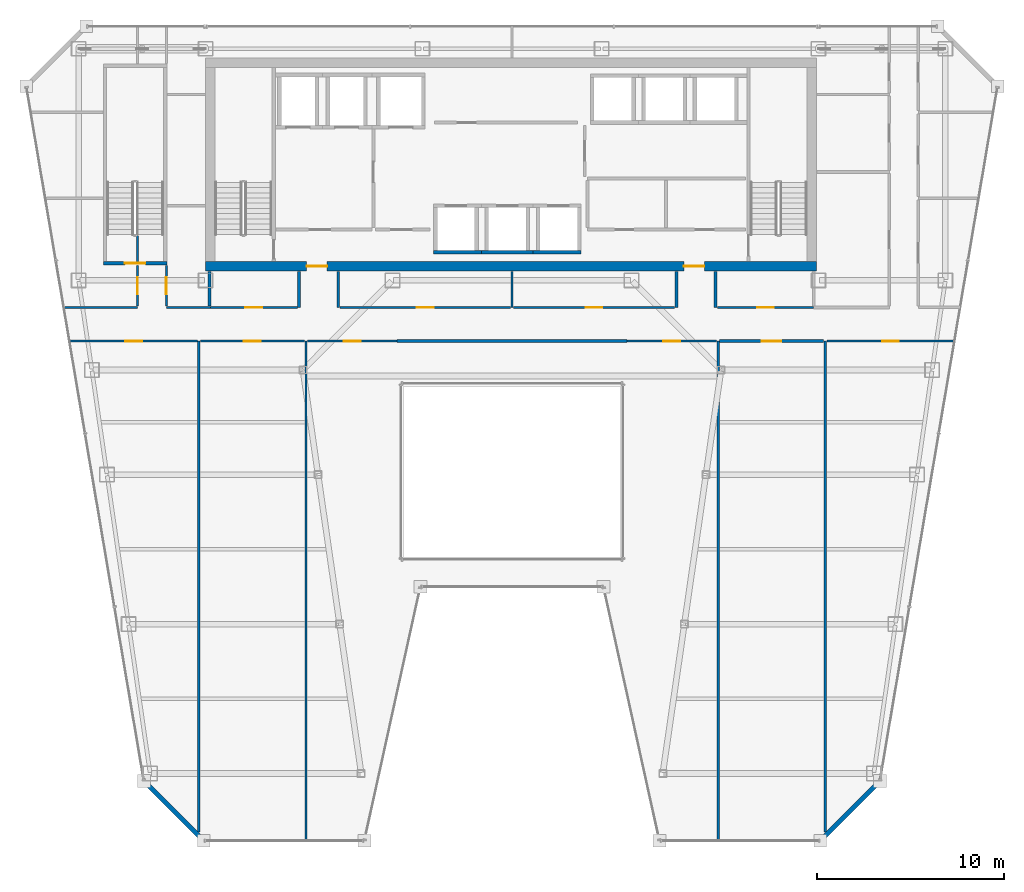
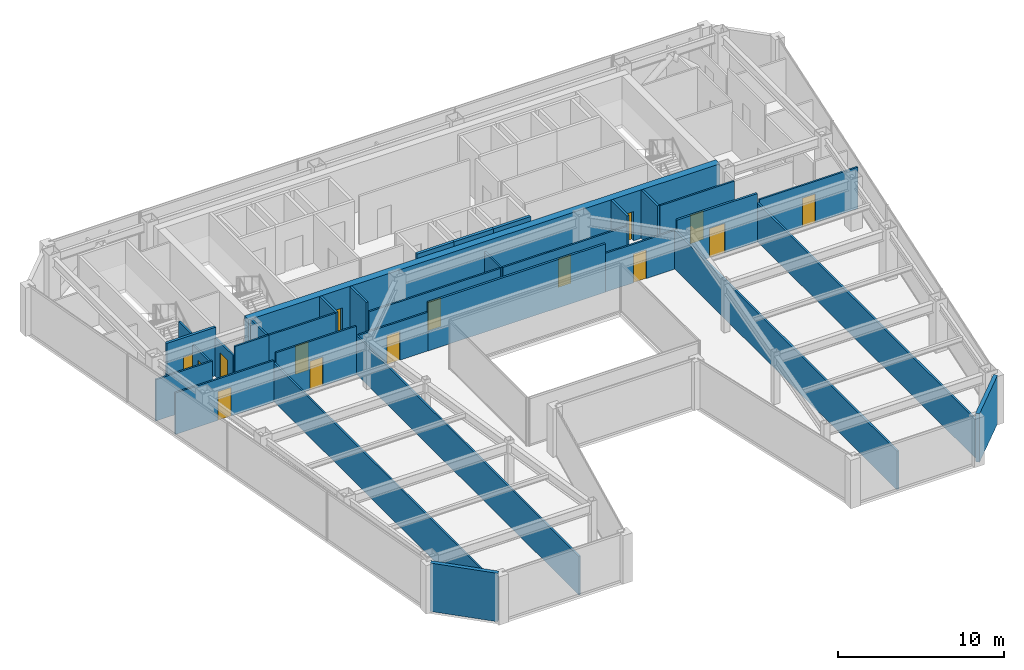
# One storey, part 30 of 36: 33 walls, 15 doors, 15 openings.
"""IFC4 building model written with IfcOpenShell, lengths in metres."""

from ifc_helpers import new_model, si_unit, direction, frame, frame_2d, origin, place, context, subcontext, project, spatial, rectangle, extrude, material, layer, layer_set, type_object, element, fill, save


model = new_model("IFC4")

# Units and contexts
model_context = context("Model", 3, precision=1e-05, world=origin(), true_north=direction((0.0, 1.0)))
body_context = subcontext(model_context, "Body", "Model", "MODEL_VIEW")
ifc_project = project(units=[si_unit("LENGTHUNIT", "METRE"), si_unit("AREAUNIT", "SQUARE_METRE"), si_unit("VOLUMEUNIT", "CUBIC_METRE"), si_unit("PLANEANGLEUNIT", "RADIAN"), si_unit("MASSUNIT", "GRAM", prefix="KILO")], contexts=[model_context])

# Site, building, storey
site_placement = place(None, origin())
site = spatial("IfcSite", under=ifc_project, at=site_placement, CompositionType="ELEMENT")
building_placement = place(site_placement, origin())
building = spatial("IfcBuilding", under=site, at=building_placement, Name="Saevonmaru Cultural Tower", CompositionType="ELEMENT")
storey_placement = place(building_placement, frame((0.0, 0.0, 186.60009765625)))
storey = spatial("IfcBuildingStorey", under=building, at=storey_placement, Name="L42", CompositionType="ELEMENT", Elevation=186.60009765625)

# Wall, openings, doors
ifc_material_1 = material(Name="Concrete C60/75", Category="concrete")
ifc_layer_1 = layer(ifc_material_1, 0.5, Name="Concrete C60/75")
ifc_layer_set_1 = layer_set([ifc_layer_1], Name="Concrete C60/75")
wall_type_1 = type_object("IfcWallType", Name="WL-CORE-500", PredefinedType="SHEAR", material=ifc_layer_set_1)
wall_1_placement = place(storey_placement, frame((13.60009765625, 43.14990234375, 0.0), z_axis=(0.0, 0.0, 1.0), x_axis=(1.0, 0.0, 0.0)))
wall_1 = element("IfcWall", 1, at=wall_1_placement, inside=storey, type_object=wall_type_1, Name="L42 Tower RC core shear wall S", PredefinedType="SHEAR", context=body_context, shape_type="SweptSolid", body=[
    extrude(rectangle(XDim=32.699951171875, YDim=0.5, at=frame_2d((16.35009765625, 0.0))), origin(), (0.0, 0.0, 1.0), 3.5498046875),
])
opening_1_placement = place(wall_1_placement, frame((5.39990234375, 0.0, 0.0)))
opening_1 = element("IfcOpeningElement", 2, at=opening_1_placement, cuts=wall_1, Name="Opening FD-2", PredefinedType="OPENING", context=body_context, shape_type="SweptSolid", body=[
    extrude(rectangle(XDim=1.10009765625, YDim=2.14990234375, at=frame_2d((0.550048828125, 1.074951171875))), frame((0.0, 0.260009765625, 0.0), z_axis=(0.0, -1.0, 0.0), x_axis=(1.0, 0.0, 0.0)), (0.0, 0.0, 1.0), 0.52001953125),
])
opening_2_placement = place(wall_1_placement, frame((25.60009765625, 0.0, 0.0)))
opening_2 = element("IfcOpeningElement", 3, at=opening_2_placement, cuts=wall_1, Name="Opening FD-2", PredefinedType="OPENING", context=body_context, shape_type="SweptSolid", body=[
    extrude(rectangle(XDim=1.10009765625, YDim=2.14990234375, at=frame_2d((0.550048828125, 1.074951171875))), frame((0.0, 0.260009765625, 0.0), z_axis=(0.0, -1.0, 0.0), x_axis=(1.0, 0.0, 0.0)), (0.0, 0.0, 1.0), 0.52001953125),
])
ifc_material_2 = material(Name="Satin Bronze Anodised Aluminium", Category="aluminium")
door_type_1 = type_object("IfcDoorType", Name="DR-FD60-1100", OperationType="SINGLE_SWING_LEFT", PredefinedType="DOOR", material=ifc_material_2)
door_1_placement = place(opening_1_placement, origin())
door_1 = element("IfcDoor", 4, at=door_1_placement, inside=storey, type_object=door_type_1, Name="L42 Core West Lobby Fire Door", OperationType="SINGLE_SWING_LEFT", OverallHeight=2.14990234375, OverallWidth=1.10009765625, PredefinedType="DOOR", context=body_context, shape_type="SweptSolid", body=[
    extrude(rectangle(XDim=1.10009765625, YDim=2.14990234375, at=frame_2d((0.550048828125, 1.074951171875))), frame((0.0, 0.02490234375, 0.0), z_axis=(0.0, -1.0, 0.0), x_axis=(1.0, 0.0, 0.0)), (0.0, 0.0, 1.0), 0.050048828125),
])
fill(opening_1, door_1)
door_2_placement = place(opening_2_placement, origin())
door_2 = element("IfcDoor", 5, at=door_2_placement, inside=storey, type_object=door_type_1, Name="L42 Core East Lobby Fire Door", OperationType="SINGLE_SWING_LEFT", OverallHeight=2.14990234375, OverallWidth=1.10009765625, PredefinedType="DOOR", context=body_context, shape_type="SweptSolid", body=[
    extrude(rectangle(XDim=1.10009765625, YDim=2.14990234375, at=frame_2d((0.550048828125, 1.074951171875))), frame((0.0, 0.02490234375, 0.0), z_axis=(0.0, -1.0, 0.0), x_axis=(1.0, 0.0, 0.0)), (0.0, 0.0, 1.0), 0.050048828125),
])
fill(opening_2, door_2)

# Walls
ifc_material_3 = material(Name="Granite-Clad Precast Concrete C40/50", Category="masonry")
ifc_layer_2 = layer(ifc_material_3, 0.260009765625, Name="Granite-Clad Precast Concrete C40/50")
ifc_layer_set_2 = layer_set([ifc_layer_2], Name="Granite-Clad Precast Concrete C40/50")
wall_type_2 = type_object("IfcWallType", Name="WL-EXT-SPANDREL-260", PredefinedType="STANDARD", material=ifc_layer_set_2)
for number, where, z_axis, x_axis, name in (
    (6, (10.410888671875, 15.48681640625, 0.0), (0.0, 0.0, 1.0), (0.707135806771, -0.70707775441, 0.0), "L42 Chamfer Corner Spandrel Wall E1"),
    (7, (46.615234375, 12.51318359375, 0.0), (0.0, 0.0, 1.0), (0.707135806771, 0.70707775441, 0.0), "L42 Chamfer Corner Spandrel Wall E7"),
):
    element("IfcWall", number, at=place(storey_placement, frame(where, z_axis=z_axis, x_axis=x_axis)), inside=storey, type_object=wall_type_2, Name=name, PredefinedType="STANDARD", context=body_context, shape_type="SweptSolid", body=[
        extrude(rectangle(XDim=4.20556640625, YDim=0.260009765625, at=frame_2d((2.102783203125, 0.0))), origin(), (0.0, 0.0, 1.0), 3.5498046875),
    ])
ifc_material_4 = material(Name="Gypsum Fireboard Partition", Category="gypsum")
ifc_layer_3 = layer(ifc_material_4, 0.14990234375, Name="Gypsum Fireboard Partition")
ifc_layer_set_3 = layer_set([ifc_layer_3], Name="Gypsum Fireboard Partition")
wall_type_3 = type_object("IfcWallType", Name="WL-PART-FIRE-150", PredefinedType="PARTITIONING", material=ifc_layer_set_3)
wall_2_placement = place(storey_placement, frame((13.800048828125, 41.030029296875, 0.0), z_axis=(0.0, 0.0, 1.0), x_axis=(0.0, 1.0, 0.0)))
element("IfcWall", 8, at=wall_2_placement, inside=storey, type_object=wall_type_3, Name="L42 Core Portal Side Wall W0", PredefinedType="PARTITIONING", context=body_context, shape_type="SweptSolid", body=[
    extrude(rectangle(XDim=1.849853515625, YDim=0.14990234375, at=frame_2d((0.9248046875, 0.0))), origin(), (0.0, 0.0, 1.0), 3.5498046875),
])
for number, where, z_axis, x_axis, name in (
    (9, (18.60009765625, 40.949951171875, 0.0), (0.0, 0.0, 1.0), (0.0, 1.0, 0.0), "L42 Core Portal Side Wall W1"),
    (10, (20.699951171875, 40.949951171875, 0.0), (0.0, 0.0, 1.0), (0.0, 1.0, 0.0), "L42 Core Portal Side Wall W2"),
    (11, (38.800048828125, 40.949951171875, 0.0), (0.0, 0.0, 1.0), (0.0, 1.0, 0.0), "L42 Core Portal Side Wall E1"),
    (12, (40.89990234375, 40.949951171875, 0.0), (0.0, 0.0, 1.0), (0.0, 1.0, 0.0), "L42 Core Portal Side Wall E2"),
):
    element("IfcWall", number, at=place(storey_placement, frame(where, z_axis=z_axis, x_axis=x_axis)), inside=storey, type_object=wall_type_3, Name=name, PredefinedType="PARTITIONING", context=body_context, shape_type="SweptSolid", body=[
        extrude(rectangle(XDim=1.929931640625, YDim=0.14990234375, at=frame_2d((0.96484375, 0.0))), origin(), (0.0, 0.0, 1.0), 3.5498046875),
    ])
wall_3_placement = place(storey_placement, frame((23.85009765625, 39.14990234375, 0.0), z_axis=(0.0, 0.0, 1.0), x_axis=(1.0, 0.0, 0.0)))
element("IfcWall", 13, at=wall_3_placement, inside=storey, type_object=wall_type_3, Name="L42 North Atrium Corridor Wall", PredefinedType="PARTITIONING", context=body_context, shape_type="SweptSolid", body=[
    extrude(rectangle(XDim=12.2998046875, YDim=0.14990234375, at=frame_2d((6.14990234375, 0.0))), origin(), (0.0, 0.0, 1.0), 3.5498046875),
])

# Wall, opening, door
wall_4_placement = place(storey_placement, frame((41.117431640625, 39.14990234375, 0.0), z_axis=(0.0, 0.0, 1.0), x_axis=(1.0, 0.0, 0.0)))
wall_4 = element("IfcWall", 14, at=wall_4_placement, inside=storey, type_object=wall_type_3, Name="L42 Permanent Exhibition Gallery Corridor Wall", PredefinedType="PARTITIONING", context=body_context, shape_type="SweptSolid", body=[
    extrude(rectangle(XDim=5.565185546875, YDim=0.14990234375, at=frame_2d((2.78271484375, 0.0))), origin(), (0.0, 0.0, 1.0), 3.5498046875),
])
opening_3_placement = place(wall_4_placement, frame((2.257080078125, 0.0, 0.0)))
opening_3 = element("IfcOpeningElement", 15, at=opening_3_placement, cuts=wall_4, Name="Opening ID-1", PredefinedType="OPENING", context=body_context, shape_type="SweptSolid", body=[
    extrude(rectangle(XDim=1.050048828125, YDim=2.14990234375, at=frame_2d((0.52490234375, 1.074951171875))), frame((0.0, 0.0849609375, 0.0), z_axis=(0.0, -1.0, 0.0), x_axis=(1.0, 0.0, 0.0)), (0.0, 0.0, 1.0), 0.169921875),
])
door_type_2 = type_object("IfcDoorType", Name="DR-INT-1050", OperationType="SINGLE_SWING_LEFT", PredefinedType="DOOR", material=ifc_material_2)
door_3_placement = place(opening_3_placement, origin())
door_3 = element("IfcDoor", 16, at=door_3_placement, inside=storey, type_object=door_type_2, Name="L42 Permanent Exhibition Gallery Door", OperationType="SINGLE_SWING_RIGHT", OverallHeight=2.14990234375, OverallWidth=1.050048828125, PredefinedType="DOOR", context=body_context, shape_type="SweptSolid", body=[
    extrude(rectangle(XDim=1.050048828125, YDim=2.14990234375, at=frame_2d((0.52490234375, 1.074951171875))), frame((0.0, 0.02490234375, 0.0), z_axis=(0.0, -1.0, 0.0), x_axis=(1.0, 0.0, 0.0)), (0.0, 0.0, 1.0), 0.050048828125),
])
fill(opening_3, door_3)

# Walls
ifc_layer_4 = layer(ifc_material_4, 0.1201171875, Name="Gypsum Fireboard Partition")
ifc_layer_set_4 = layer_set([ifc_layer_4], Name="Gypsum Fireboard Partition")
wall_type_4 = type_object("IfcWallType", Name="WL-PART-GYP-120", PredefinedType="PARTITIONING", material=ifc_layer_set_4)
wall_5_placement = place(storey_placement, frame((6.01123046875, 40.949951171875, 0.0), z_axis=(0.0, 0.0, 1.0), x_axis=(1.0, 0.0, 0.0)))
element("IfcWall", 17, at=wall_5_placement, inside=storey, type_object=wall_type_4, Name="L42 NW Wing South Wall", PredefinedType="PARTITIONING", context=body_context, shape_type="SweptSolid", body=[
    extrude(rectangle(XDim=3.938720703125, YDim=0.1201171875, at=frame_2d((1.96923828125, 0.0))), origin(), (0.0, 0.0, 1.0), 3.034912109375),
])
wall_6_placement = place(storey_placement, frame((11.5, 40.949951171875, 0.0), z_axis=(0.0, 0.0, 1.0), x_axis=(1.0, 0.0, 0.0)))
element("IfcWall", 18, at=wall_6_placement, inside=storey, type_object=wall_type_4, Name="L42 NW Inner South Wall", PredefinedType="PARTITIONING", context=body_context, shape_type="SweptSolid", body=[
    extrude(rectangle(XDim=2.35009765625, YDim=0.1201171875, at=frame_2d((1.175048828125, 0.0))), origin(), (0.0, 0.0, 1.0), 3.5498046875),
])

# Wall, opening, door
wall_7_placement = place(storey_placement, frame((9.949951171875, 41.030029296875, 0.0), z_axis=(0.0, 0.0, 1.0), x_axis=(0.0, 1.0, 0.0)))
wall_7 = element("IfcWall", 19, at=wall_7_placement, inside=storey, type_object=wall_type_4, Name="L42 Curatorial Research Office Corridor Wall", PredefinedType="PARTITIONING", context=body_context, shape_type="SweptSolid", body=[
    extrude(rectangle(XDim=2.169921875, YDim=0.1201171875, at=frame_2d((1.0849609375, 0.0))), origin(), (0.0, 0.0, 1.0), 2.8349609375),
])
opening_4_placement = place(wall_7_placement, frame((0.635009765625, 0.0, 0.0)))
opening_4 = element("IfcOpeningElement", 20, at=opening_4_placement, cuts=wall_7, Name="Opening ID-2", PredefinedType="OPENING", context=body_context, shape_type="SweptSolid", body=[
    extrude(rectangle(XDim=0.89990234375, YDim=2.10009765625, at=frame_2d((0.449951171875, 1.050048828125))), frame((0.0, 0.070068359375, 0.0), z_axis=(0.0, -1.0, 0.0), x_axis=(1.0, 0.0, 0.0)), (0.0, 0.0, 1.0), 0.14013671875),
])
ifc_material_5 = material(Name="Acoustic Stained Oak Timber", Category="wood")
door_type_3 = type_object("IfcDoorType", Name="DR-INT-900", OperationType="SINGLE_SWING_RIGHT", PredefinedType="DOOR", material=ifc_material_5)
door_4_placement = place(opening_4_placement, origin())
door_4 = element("IfcDoor", 21, at=door_4_placement, inside=storey, type_object=door_type_3, Name="L42 Curatorial Research Office Door", OperationType="SINGLE_SWING_LEFT", OverallHeight=2.10009765625, OverallWidth=0.89990234375, PredefinedType="DOOR", context=body_context, shape_type="SweptSolid", body=[
    extrude(rectangle(XDim=0.89990234375, YDim=2.10009765625, at=frame_2d((0.449951171875, 1.050048828125))), frame((0.0, 0.02490234375, 0.0), z_axis=(0.0, -1.0, 0.0), x_axis=(1.0, 0.0, 0.0)), (0.0, 0.0, 1.0), 0.050048828125),
])
fill(opening_4, door_4)

# Wall
wall_8_placement = place(storey_placement, frame((9.949951171875, 43.419921875, 0.0), z_axis=(0.0, 0.0, 1.0), x_axis=(0.0, 1.0, 0.0)))
element("IfcWall", 22, at=wall_8_placement, inside=storey, type_object=wall_type_4, Name="L42 Curatorial Research Office Corridor Wall (2)", PredefinedType="PARTITIONING", context=body_context, shape_type="SweptSolid", body=[
    extrude(rectangle(XDim=1.4501953125, YDim=0.1201171875, at=frame_2d((0.72509765625, 0.0))), origin(), (0.0, 0.0, 1.0), 3.5498046875),
])

# Wall, opening, door
wall_9_placement = place(storey_placement, frame((11.5, 41.030029296875, 0.0), z_axis=(0.0, 0.0, 1.0), x_axis=(0.0, 1.0, 0.0)))
wall_9 = element("IfcWall", 23, at=wall_9_placement, inside=storey, type_object=wall_type_4, Name="L42 Archival Conservation Office Corridor Wall", PredefinedType="PARTITIONING", context=body_context, shape_type="SweptSolid", body=[
    extrude(rectangle(XDim=2.169921875, YDim=0.1201171875, at=frame_2d((1.0849609375, 0.0))), origin(), (0.0, 0.0, 1.0), 2.8349609375),
])
opening_5_placement = place(wall_9_placement, frame((0.635009765625, 0.0, 0.0)))
opening_5 = element("IfcOpeningElement", 24, at=opening_5_placement, cuts=wall_9, Name="Opening ID-2", PredefinedType="OPENING", context=body_context, shape_type="SweptSolid", body=[
    extrude(rectangle(XDim=0.89990234375, YDim=2.10009765625, at=frame_2d((0.449951171875, 1.050048828125))), frame((0.0, 0.070068359375, 0.0), z_axis=(0.0, -1.0, 0.0), x_axis=(1.0, 0.0, 0.0)), (0.0, 0.0, 1.0), 0.14013671875),
])
door_5_placement = place(opening_5_placement, origin())
door_5 = element("IfcDoor", 25, at=door_5_placement, inside=storey, type_object=door_type_3, Name="L42 Archival Conservation Office Door", OperationType="SINGLE_SWING_RIGHT", OverallHeight=2.10009765625, OverallWidth=0.89990234375, PredefinedType="DOOR", context=body_context, shape_type="SweptSolid", body=[
    extrude(rectangle(XDim=0.89990234375, YDim=2.10009765625, at=frame_2d((0.449951171875, 1.050048828125))), frame((0.0, 0.02490234375, 0.0), z_axis=(0.0, -1.0, 0.0), x_axis=(1.0, 0.0, 0.0)), (0.0, 0.0, 1.0), 0.050048828125),
])
fill(opening_5, door_5)

wall_10_placement = place(storey_placement, frame((13.85009765625, 40.949951171875, 0.0), z_axis=(0.0, 0.0, 1.0), x_axis=(1.0, 0.0, 0.0)))
wall_10 = element("IfcWall", 26, at=wall_10_placement, inside=storey, type_object=wall_type_4, Name="L42 Curatorial Research Office Corridor Wall", PredefinedType="PARTITIONING", context=body_context, shape_type="SweptSolid", body=[
    extrude(rectangle(XDim=4.65478515625, YDim=0.1201171875, at=frame_2d((2.327392578125, 0.0))), origin(), (0.0, 0.0, 1.0), 3.5498046875),
])
opening_6_placement = place(wall_10_placement, frame((1.876953125, 0.0, 0.0)))
opening_6 = element("IfcOpeningElement", 27, at=opening_6_placement, cuts=wall_10, Name="Opening ID-2", PredefinedType="OPENING", context=body_context, shape_type="SweptSolid", body=[
    extrude(rectangle(XDim=0.89990234375, YDim=2.10009765625, at=frame_2d((0.449951171875, 1.050048828125))), frame((0.0, 0.070068359375, 0.0), z_axis=(0.0, -1.0, 0.0), x_axis=(1.0, 0.0, 0.0)), (0.0, 0.0, 1.0), 0.14013671875),
])
door_6_placement = place(opening_6_placement, origin())
door_6 = element("IfcDoor", 28, at=door_6_placement, inside=storey, type_object=door_type_3, Name="L42 Curatorial Research Office Door", OperationType="SINGLE_SWING_RIGHT", OverallHeight=2.10009765625, OverallWidth=0.89990234375, PredefinedType="DOOR", context=body_context, shape_type="SweptSolid", body=[
    extrude(rectangle(XDim=0.89990234375, YDim=2.10009765625, at=frame_2d((0.449951171875, 1.050048828125))), frame((0.0, 0.02490234375, 0.0), z_axis=(0.0, -1.0, 0.0), x_axis=(1.0, 0.0, 0.0)), (0.0, 0.0, 1.0), 0.050048828125),
])
fill(opening_6, door_6)

# Wall
wall_11_placement = place(storey_placement, frame((30.0, 40.949951171875, 0.0), z_axis=(0.0, 0.0, 1.0), x_axis=(0.0, 1.0, 0.0)))
element("IfcWall", 29, at=wall_11_placement, inside=storey, type_object=wall_type_4, Name="L42 Spine Alcove Split", PredefinedType="PARTITIONING", context=body_context, shape_type="SweptSolid", body=[
    extrude(rectangle(XDim=1.929931640625, YDim=0.1201171875, at=frame_2d((0.96484375, 0.0))), origin(), (0.0, 0.0, 1.0), 2.8349609375),
])

# Wall, opening, door
wall_12_placement = place(storey_placement, frame((20.794921875, 40.949951171875, 0.0), z_axis=(0.0, 0.0, 1.0), x_axis=(1.0, 0.0, 0.0)))
wall_12 = element("IfcWall", 30, at=wall_12_placement, inside=storey, type_object=wall_type_4, Name="L42 Curatorial Research Office Corridor Wall", PredefinedType="PARTITIONING", context=body_context, shape_type="SweptSolid", body=[
    extrude(rectangle(XDim=9.125, YDim=0.1201171875, at=frame_2d((4.5625, 0.0))), origin(), (0.0, 0.0, 1.0), 2.8349609375),
])
opening_7_placement = place(wall_12_placement, frame((4.112060546875, 0.0, 0.0)))
opening_7 = element("IfcOpeningElement", 31, at=opening_7_placement, cuts=wall_12, Name="Opening ID-2", PredefinedType="OPENING", context=body_context, shape_type="SweptSolid", body=[
    extrude(rectangle(XDim=0.89990234375, YDim=2.10009765625, at=frame_2d((0.449951171875, 1.050048828125))), frame((0.0, 0.070068359375, 0.0), z_axis=(0.0, -1.0, 0.0), x_axis=(1.0, 0.0, 0.0)), (0.0, 0.0, 1.0), 0.14013671875),
])
door_7_placement = place(opening_7_placement, origin())
door_7 = element("IfcDoor", 32, at=door_7_placement, inside=storey, type_object=door_type_3, Name="L42 Curatorial Research Office Door", OperationType="SINGLE_SWING_LEFT", OverallHeight=2.10009765625, OverallWidth=0.89990234375, PredefinedType="DOOR", context=body_context, shape_type="SweptSolid", body=[
    extrude(rectangle(XDim=0.89990234375, YDim=2.10009765625, at=frame_2d((0.449951171875, 1.050048828125))), frame((0.0, 0.02490234375, 0.0), z_axis=(0.0, -1.0, 0.0), x_axis=(1.0, 0.0, 0.0)), (0.0, 0.0, 1.0), 0.050048828125),
])
fill(opening_7, door_7)

wall_13_placement = place(storey_placement, frame((30.080078125, 40.949951171875, 0.0), z_axis=(0.0, 0.0, 1.0), x_axis=(1.0, 0.0, 0.0)))
wall_13 = element("IfcWall", 33, at=wall_13_placement, inside=storey, type_object=wall_type_4, Name="L42 Design Seminar Classroom Corridor Wall", PredefinedType="PARTITIONING", context=body_context, shape_type="SweptSolid", body=[
    extrude(rectangle(XDim=8.625, YDim=0.1201171875, at=frame_2d((4.3125, 0.0))), origin(), (0.0, 0.0, 1.0), 2.8349609375),
])
opening_8_placement = place(wall_13_placement, frame((3.862060546875, 0.0, 0.0)))
opening_8 = element("IfcOpeningElement", 34, at=opening_8_placement, cuts=wall_13, Name="Opening ID-2", PredefinedType="OPENING", context=body_context, shape_type="SweptSolid", body=[
    extrude(rectangle(XDim=0.89990234375, YDim=2.10009765625, at=frame_2d((0.449951171875, 1.050048828125))), frame((0.0, 0.070068359375, 0.0), z_axis=(0.0, -1.0, 0.0), x_axis=(1.0, 0.0, 0.0)), (0.0, 0.0, 1.0), 0.14013671875),
])
door_8_placement = place(opening_8_placement, origin())
door_8 = element("IfcDoor", 35, at=door_8_placement, inside=storey, type_object=door_type_3, Name="L42 Design Seminar Classroom Door", OperationType="SINGLE_SWING_RIGHT", OverallHeight=2.10009765625, OverallWidth=0.89990234375, PredefinedType="DOOR", context=body_context, shape_type="SweptSolid", body=[
    extrude(rectangle(XDim=0.89990234375, YDim=2.10009765625, at=frame_2d((0.449951171875, 1.050048828125))), frame((0.0, 0.02490234375, 0.0), z_axis=(0.0, -1.0, 0.0), x_axis=(1.0, 0.0, 0.0)), (0.0, 0.0, 1.0), 0.050048828125),
])
fill(opening_8, door_8)

wall_14_placement = place(storey_placement, frame((40.9951171875, 40.949951171875, 0.0), z_axis=(0.0, 0.0, 1.0), x_axis=(1.0, 0.0, 0.0)))
wall_14 = element("IfcWall", 36, at=wall_14_placement, inside=storey, type_object=wall_type_4, Name="L42 Editorial Fellows Office Corridor Wall", PredefinedType="PARTITIONING", context=body_context, shape_type="SweptSolid", body=[
    extrude(rectangle(XDim=5.15478515625, YDim=0.1201171875, at=frame_2d((2.577392578125, 0.0))), origin(), (0.0, 0.0, 1.0), 3.5498046875),
])
opening_9_placement = place(wall_14_placement, frame((2.1279296875, 0.0, 0.0)))
opening_9 = element("IfcOpeningElement", 37, at=opening_9_placement, cuts=wall_14, Name="Opening ID-2", PredefinedType="OPENING", context=body_context, shape_type="SweptSolid", body=[
    extrude(rectangle(XDim=0.89990234375, YDim=2.10009765625, at=frame_2d((0.449951171875, 1.050048828125))), frame((0.0, 0.070068359375, 0.0), z_axis=(0.0, -1.0, 0.0), x_axis=(1.0, 0.0, 0.0)), (0.0, 0.0, 1.0), 0.14013671875),
])
door_9_placement = place(opening_9_placement, origin())
door_9 = element("IfcDoor", 38, at=door_9_placement, inside=storey, type_object=door_type_3, Name="L42 Editorial Fellows Office Door", OperationType="SINGLE_SWING_LEFT", OverallHeight=2.10009765625, OverallWidth=0.89990234375, PredefinedType="DOOR", context=body_context, shape_type="SweptSolid", body=[
    extrude(rectangle(XDim=0.89990234375, YDim=2.10009765625, at=frame_2d((0.449951171875, 1.050048828125))), frame((0.0, 0.02490234375, 0.0), z_axis=(0.0, -1.0, 0.0), x_axis=(1.0, 0.0, 0.0)), (0.0, 0.0, 1.0), 0.050048828125),
])
fill(opening_9, door_9)

# Walls
wall_15_placement = place(storey_placement, frame((13.22998046875, 12.8798828125, 0.0), z_axis=(0.0, 0.0, 1.0), x_axis=(0.0, 1.0, 0.0)))
element("IfcWall", 39, at=wall_15_placement, inside=storey, type_object=wall_type_4, Name="L42 West Bay Divider 1", PredefinedType="PARTITIONING", context=body_context, shape_type="SweptSolid", body=[
    extrude(rectangle(XDim=26.27001953125, YDim=0.1201171875, at=frame_2d((13.135009765625, 0.0))), origin(), (0.0, 0.0, 1.0), 2.8349609375),
])
wall_16_placement = place(storey_placement, frame((18.969970703125, 12.405029296875, 0.0), z_axis=(0.0, 0.0, 1.0), x_axis=(0.0, 1.0, 0.0)))
element("IfcWall", 40, at=wall_16_placement, inside=storey, type_object=wall_type_4, Name="L42 West Bay Divider 2", PredefinedType="PARTITIONING", context=body_context, shape_type="SweptSolid", body=[
    extrude(rectangle(XDim=26.744873046875, YDim=0.1201171875, at=frame_2d((13.37255859375, 0.0))), origin(), (0.0, 0.0, 1.0), 2.8349609375),
])

# Wall, opening, door
wall_17_placement = place(storey_placement, frame((6.333984375, 39.14990234375, 0.0), z_axis=(0.0, 0.0, 1.0), x_axis=(1.0, 0.0, 0.0)))
wall_17 = element("IfcWall", 41, at=wall_17_placement, inside=storey, type_object=wall_type_4, Name="L42 Curatorial Research Office Corridor Wall", PredefinedType="PARTITIONING", context=body_context, shape_type="SweptSolid", body=[
    extrude(rectangle(XDim=6.81591796875, YDim=0.1201171875, at=frame_2d((3.407958984375, 0.0))), origin(), (0.0, 0.0, 1.0), 3.034912109375),
])
opening_10_placement = place(wall_17_placement, frame((2.9580078125, 0.0, 0.0)))
opening_10 = element("IfcOpeningElement", 42, at=opening_10_placement, cuts=wall_17, Name="Opening ID-2", PredefinedType="OPENING", context=body_context, shape_type="SweptSolid", body=[
    extrude(rectangle(XDim=0.89990234375, YDim=2.10009765625, at=frame_2d((0.449951171875, 1.050048828125))), frame((0.0, 0.070068359375, 0.0), z_axis=(0.0, -1.0, 0.0), x_axis=(1.0, 0.0, 0.0)), (0.0, 0.0, 1.0), 0.14013671875),
])
door_10_placement = place(opening_10_placement, origin())
door_10 = element("IfcDoor", 43, at=door_10_placement, inside=storey, type_object=door_type_3, Name="L42 Curatorial Research Office Door", OperationType="SINGLE_SWING_RIGHT", OverallHeight=2.10009765625, OverallWidth=0.89990234375, PredefinedType="DOOR", context=body_context, shape_type="SweptSolid", body=[
    extrude(rectangle(XDim=0.89990234375, YDim=2.10009765625, at=frame_2d((0.449951171875, 1.050048828125))), frame((0.0, 0.02490234375, 0.0), z_axis=(0.0, -1.0, 0.0), x_axis=(1.0, 0.0, 0.0)), (0.0, 0.0, 1.0), 0.050048828125),
])
fill(opening_10, door_10)

wall_18_placement = place(storey_placement, frame((13.31005859375, 39.14990234375, 0.0), z_axis=(0.0, 0.0, 1.0), x_axis=(1.0, 0.0, 0.0)))
wall_18 = element("IfcWall", 44, at=wall_18_placement, inside=storey, type_object=wall_type_4, Name="L42 Archival Conservation Office Corridor Wall", PredefinedType="PARTITIONING", context=body_context, shape_type="SweptSolid", body=[
    extrude(rectangle(XDim=5.579833984375, YDim=0.1201171875, at=frame_2d((2.7900390625, 0.0))), origin(), (0.0, 0.0, 1.0), 3.5498046875),
])
opening_11_placement = place(wall_18_placement, frame((2.340087890625, 0.0, 0.0)))
opening_11 = element("IfcOpeningElement", 45, at=opening_11_placement, cuts=wall_18, Name="Opening ID-2", PredefinedType="OPENING", context=body_context, shape_type="SweptSolid", body=[
    extrude(rectangle(XDim=0.89990234375, YDim=2.10009765625, at=frame_2d((0.449951171875, 1.050048828125))), frame((0.0, 0.070068359375, 0.0), z_axis=(0.0, -1.0, 0.0), x_axis=(1.0, 0.0, 0.0)), (0.0, 0.0, 1.0), 0.14013671875),
])
door_11_placement = place(opening_11_placement, origin())
door_11 = element("IfcDoor", 46, at=door_11_placement, inside=storey, type_object=door_type_3, Name="L42 Archival Conservation Office Door", OperationType="SINGLE_SWING_LEFT", OverallHeight=2.10009765625, OverallWidth=0.89990234375, PredefinedType="DOOR", context=body_context, shape_type="SweptSolid", body=[
    extrude(rectangle(XDim=0.89990234375, YDim=2.10009765625, at=frame_2d((0.449951171875, 1.050048828125))), frame((0.0, 0.02490234375, 0.0), z_axis=(0.0, -1.0, 0.0), x_axis=(1.0, 0.0, 0.0)), (0.0, 0.0, 1.0), 0.050048828125),
])
fill(opening_11, door_11)

wall_19_placement = place(storey_placement, frame((19.050048828125, 39.14990234375, 0.0), z_axis=(0.0, 0.0, 1.0), x_axis=(1.0, 0.0, 0.0)))
wall_19 = element("IfcWall", 47, at=wall_19_placement, inside=storey, type_object=wall_type_4, Name="L42 Editorial Fellows Office Corridor Wall", PredefinedType="PARTITIONING", context=body_context, shape_type="SweptSolid", body=[
    extrude(rectangle(XDim=4.800048828125, YDim=0.1201171875, at=frame_2d((2.39990234375, 0.0))), origin(), (0.0, 0.0, 1.0), 2.8349609375),
])
opening_12_placement = place(wall_19_placement, frame((1.949951171875, 0.0, 0.0)))
opening_12 = element("IfcOpeningElement", 48, at=opening_12_placement, cuts=wall_19, Name="Opening ID-2", PredefinedType="OPENING", context=body_context, shape_type="SweptSolid", body=[
    extrude(rectangle(XDim=0.89990234375, YDim=2.10009765625, at=frame_2d((0.449951171875, 1.050048828125))), frame((0.0, 0.070068359375, 0.0), z_axis=(0.0, -1.0, 0.0), x_axis=(1.0, 0.0, 0.0)), (0.0, 0.0, 1.0), 0.14013671875),
])
door_12_placement = place(opening_12_placement, origin())
door_12 = element("IfcDoor", 49, at=door_12_placement, inside=storey, type_object=door_type_3, Name="L42 Editorial Fellows Office Door", OperationType="SINGLE_SWING_RIGHT", OverallHeight=2.10009765625, OverallWidth=0.89990234375, PredefinedType="DOOR", context=body_context, shape_type="SweptSolid", body=[
    extrude(rectangle(XDim=0.89990234375, YDim=2.10009765625, at=frame_2d((0.449951171875, 1.050048828125))), frame((0.0, 0.02490234375, 0.0), z_axis=(0.0, -1.0, 0.0), x_axis=(1.0, 0.0, 0.0)), (0.0, 0.0, 1.0), 0.050048828125),
])
fill(opening_12, door_12)

wall_20_placement = place(storey_placement, frame((36.14990234375, 39.14990234375, 0.0), z_axis=(0.0, 0.0, 1.0), x_axis=(1.0, 0.0, 0.0)))
wall_20 = element("IfcWall", 50, at=wall_20_placement, inside=storey, type_object=wall_type_4, Name="L42 Editorial Fellows Office Corridor Wall", PredefinedType="PARTITIONING", context=body_context, shape_type="SweptSolid", body=[
    extrude(rectangle(XDim=4.79248046875, YDim=0.1201171875, at=frame_2d((2.396240234375, 0.0))), origin(), (0.0, 0.0, 1.0), 2.8349609375),
])
opening_13_placement = place(wall_20_placement, frame((1.946044921875, 0.0, 0.0)))
opening_13 = element("IfcOpeningElement", 51, at=opening_13_placement, cuts=wall_20, Name="Opening ID-2", PredefinedType="OPENING", context=body_context, shape_type="SweptSolid", body=[
    extrude(rectangle(XDim=0.89990234375, YDim=2.10009765625, at=frame_2d((0.449951171875, 1.050048828125))), frame((0.0, 0.070068359375, 0.0), z_axis=(0.0, -1.0, 0.0), x_axis=(1.0, 0.0, 0.0)), (0.0, 0.0, 1.0), 0.14013671875),
])
door_13_placement = place(opening_13_placement, origin())
door_13 = element("IfcDoor", 52, at=door_13_placement, inside=storey, type_object=door_type_3, Name="L42 Editorial Fellows Office Door", OperationType="SINGLE_SWING_LEFT", OverallHeight=2.10009765625, OverallWidth=0.89990234375, PredefinedType="DOOR", context=body_context, shape_type="SweptSolid", body=[
    extrude(rectangle(XDim=0.89990234375, YDim=2.10009765625, at=frame_2d((0.449951171875, 1.050048828125))), frame((0.0, 0.02490234375, 0.0), z_axis=(0.0, -1.0, 0.0), x_axis=(1.0, 0.0, 0.0)), (0.0, 0.0, 1.0), 0.050048828125),
])
fill(opening_13, door_13)

wall_21_placement = place(storey_placement, frame((46.857421875, 39.14990234375, 0.0), z_axis=(0.0, 0.0, 1.0), x_axis=(1.0, 0.0, 0.0)))
wall_21 = element("IfcWall", 53, at=wall_21_placement, inside=storey, type_object=wall_type_4, Name="L42 Design Seminar Classroom Corridor Wall", PredefinedType="PARTITIONING", context=body_context, shape_type="SweptSolid", body=[
    extrude(rectangle(XDim=6.80859375, YDim=0.1201171875, at=frame_2d((3.404296875, 0.0))), origin(), (0.0, 0.0, 1.0), 3.034912109375),
])
opening_14_placement = place(wall_21_placement, frame((2.9541015625, 0.0, 0.0)))
opening_14 = element("IfcOpeningElement", 54, at=opening_14_placement, cuts=wall_21, Name="Opening ID-2", PredefinedType="OPENING", context=body_context, shape_type="SweptSolid", body=[
    extrude(rectangle(XDim=0.89990234375, YDim=2.10009765625, at=frame_2d((0.449951171875, 1.050048828125))), frame((0.0, 0.070068359375, 0.0), z_axis=(0.0, -1.0, 0.0), x_axis=(1.0, 0.0, 0.0)), (0.0, 0.0, 1.0), 0.14013671875),
])
door_14_placement = place(opening_14_placement, origin())
door_14 = element("IfcDoor", 55, at=door_14_placement, inside=storey, type_object=door_type_3, Name="L42 Design Seminar Classroom Door", OperationType="SINGLE_SWING_LEFT", OverallHeight=2.10009765625, OverallWidth=0.89990234375, PredefinedType="DOOR", context=body_context, shape_type="SweptSolid", body=[
    extrude(rectangle(XDim=0.89990234375, YDim=2.10009765625, at=frame_2d((0.449951171875, 1.050048828125))), frame((0.0, 0.02490234375, 0.0), z_axis=(0.0, -1.0, 0.0), x_axis=(1.0, 0.0, 0.0)), (0.0, 0.0, 1.0), 0.050048828125),
])
fill(opening_14, door_14)

# Walls
ifc_layer_5 = layer(ifc_material_4, 0.135009765625, Name="Gypsum Fireboard Partition")
ifc_layer_set_5 = layer_set([ifc_layer_5], Name="Gypsum Fireboard Partition")
wall_type_5 = type_object("IfcWallType", Name="WL-PART-GYP-135", PredefinedType="PARTITIONING", material=ifc_layer_set_5)
wall_22_placement = place(storey_placement, frame((41.030029296875, 12.405029296875, 0.0), z_axis=(0.0, 0.0, 1.0), x_axis=(0.0, 1.0, 0.0)))
element("IfcWall", 56, at=wall_22_placement, inside=storey, type_object=wall_type_5, Name="L42 East Bay Divider 1", PredefinedType="PARTITIONING", context=body_context, shape_type="SweptSolid", body=[
    extrude(rectangle(XDim=26.744873046875, YDim=0.135009765625, at=frame_2d((13.37255859375, 0.0))), origin(), (0.0, 0.0, 1.0), 2.8349609375),
])
wall_23_placement = place(storey_placement, frame((46.77001953125, 12.8798828125, 0.0), z_axis=(0.0, 0.0, 1.0), x_axis=(0.0, 1.0, 0.0)))
element("IfcWall", 57, at=wall_23_placement, inside=storey, type_object=wall_type_5, Name="L42 East Bay Divider 2", PredefinedType="PARTITIONING", context=body_context, shape_type="SweptSolid", body=[
    extrude(rectangle(XDim=26.27001953125, YDim=0.135009765625, at=frame_2d((13.135009765625, 0.0))), origin(), (0.0, 0.0, 1.0), 2.8349609375),
])
ifc_material_6 = material(Name="Concrete C40/50", Category="concrete")
ifc_layer_6 = layer(ifc_material_6, 0.199951171875, Name="Concrete C40/50")
ifc_layer_set_6 = layer_set([ifc_layer_6], Name="Concrete C40/50")
wall_type_6 = type_object("IfcWallType", Name="WL-SHAFT-200", PredefinedType="SHEAR", material=ifc_layer_set_6)
wall_24_placement = place(storey_placement, frame((25.800048828125, 43.89990234375, 0.0), z_axis=(0.0, 0.0, 1.0), x_axis=(1.0, 0.0, 0.0)))
element("IfcWall", 58, at=wall_24_placement, inside=storey, type_object=wall_type_6, Name="L42 Lift PL-M1 Hoistway Wall S", PredefinedType="SHEAR", context=body_context, shape_type="SweptSolid", body=[
    extrude(rectangle(XDim=2.574951171875, YDim=0.199951171875, at=frame_2d((1.28759765625, 0.0))), origin(), (0.0, 0.0, 1.0), 3.5498046875),
])
wall_25_placement = place(storey_placement, frame((28.375, 43.89990234375, 0.0), z_axis=(0.0, 0.0, 1.0), x_axis=(1.0, 0.0, 0.0)))
element("IfcWall", 59, at=wall_25_placement, inside=storey, type_object=wall_type_6, Name="L42 Lift PL-M2 Hoistway Wall S", PredefinedType="SHEAR", context=body_context, shape_type="SweptSolid", body=[
    extrude(rectangle(XDim=2.75, YDim=0.199951171875, at=frame_2d((1.375, 0.0))), origin(), (0.0, 0.0, 1.0), 3.5498046875),
])
wall_26_placement = place(storey_placement, frame((31.125, 43.89990234375, 0.0), z_axis=(0.0, 0.0, 1.0), x_axis=(1.0, 0.0, 0.0)))
element("IfcWall", 60, at=wall_26_placement, inside=storey, type_object=wall_type_6, Name="L42 Lift PL-M3 Hoistway Wall S", PredefinedType="SHEAR", context=body_context, shape_type="SweptSolid", body=[
    extrude(rectangle(XDim=2.574951171875, YDim=0.199951171875, at=frame_2d((1.28759765625, 0.0))), origin(), (0.0, 0.0, 1.0), 3.5498046875),
])

# Wall, opening, door
ifc_layer_7 = layer(ifc_material_6, 0.179931640625, Name="Concrete C40/50")
ifc_layer_set_7 = layer_set([ifc_layer_7], Name="Concrete C40/50")
wall_type_7 = type_object("IfcWallType", Name="WL-STSHAFT-180", PredefinedType="SHEAR", material=ifc_layer_set_7)
wall_27_placement = place(storey_placement, frame((8.1201171875, 43.31005859375, 0.0), z_axis=(0.0, 0.0, 1.0), x_axis=(1.0, 0.0, 0.0)))
wall_27 = element("IfcWall", 61, at=wall_27_placement, inside=storey, type_object=wall_type_7, Name="L42 Stair ST-3 Structural Shaft Wall 1", PredefinedType="SHEAR", context=body_context, shape_type="SweptSolid", body=[
    extrude(rectangle(XDim=3.409912109375, YDim=0.179931640625, at=frame_2d((1.705078125, 0.0))), origin(), (0.0, 0.0, 1.0), 3.5498046875),
])
opening_15_placement = place(wall_27_placement, frame((1.14990234375, 0.0, 0.0)))
opening_15 = element("IfcOpeningElement", 62, at=opening_15_placement, cuts=wall_27, Name="Opening FD-2", PredefinedType="OPENING", context=body_context, shape_type="SweptSolid", body=[
    extrude(rectangle(XDim=1.10009765625, YDim=2.14990234375, at=frame_2d((0.550048828125, 1.074951171875))), frame((0.0, 0.10009765625, 0.0), z_axis=(0.0, -1.0, 0.0), x_axis=(1.0, 0.0, 0.0)), (0.0, 0.0, 1.0), 0.199951171875),
])
door_15_placement = place(opening_15_placement, origin())
door_15 = element("IfcDoor", 63, at=door_15_placement, inside=storey, type_object=door_type_1, Name="L42 Protected Stair ST-3 Fire Door", OperationType="SINGLE_SWING_LEFT", OverallHeight=2.14990234375, OverallWidth=1.10009765625, PredefinedType="DOOR", context=body_context, shape_type="SweptSolid", body=[
    extrude(rectangle(XDim=1.10009765625, YDim=2.14990234375, at=frame_2d((0.550048828125, 1.074951171875))), frame((0.0, 0.02490234375, 0.0), z_axis=(0.0, -1.0, 0.0), x_axis=(1.0, 0.0, 0.0)), (0.0, 0.0, 1.0), 0.050048828125),
])
fill(opening_15, door_15)

save(model, "model.ifc")
